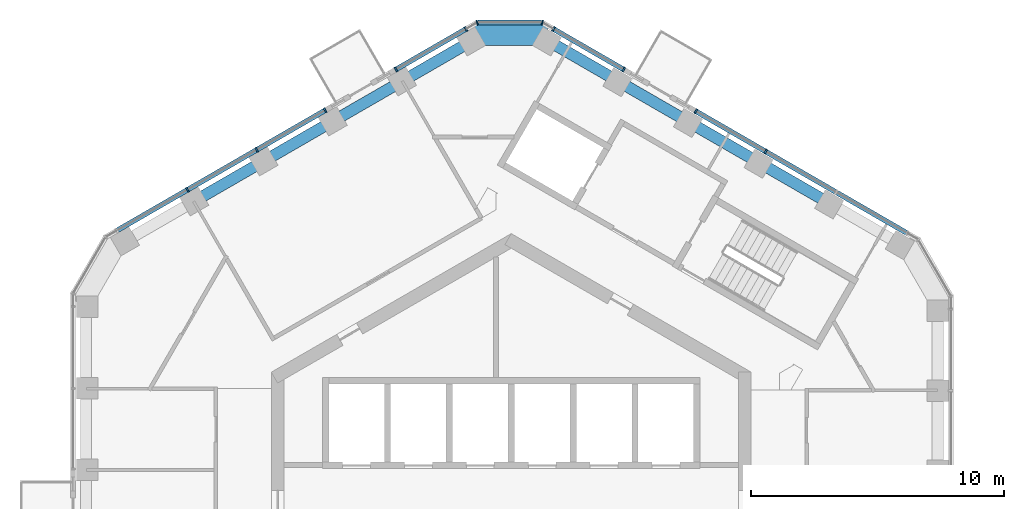
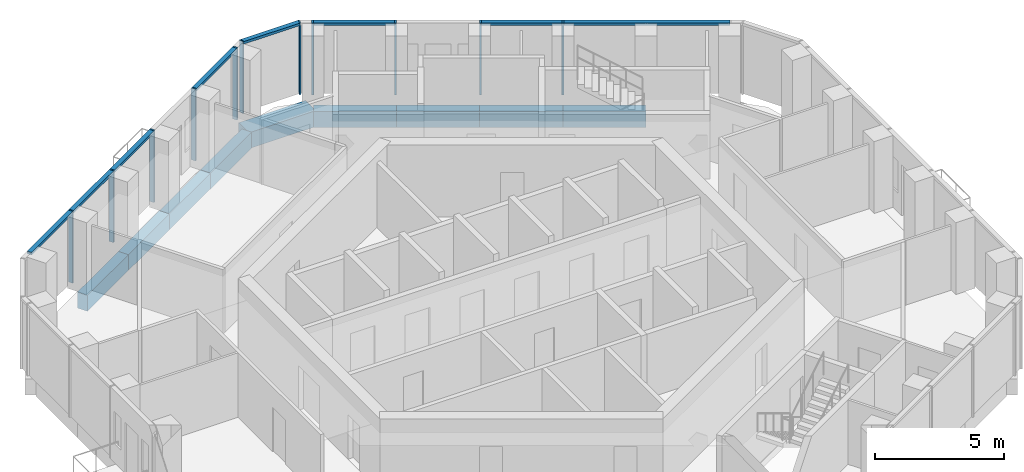
# One storey, part 6 of 19: 16 members, 9 beams, 5 elements without a shape of their own.
"""IFC4 building model written with IfcOpenShell, lengths in metres."""

from ifc_helpers import new_model, si_unit, direction, frame, origin, origin_2d, place, context, subcontext, project, spatial, rectangle, extrude, material, layer, layer_set, material_profile, profile_set, type_object, element, aggregate, save


model = new_model("IFC4")

# Units and contexts
model_context = context("Model", 3, precision=1e-05, world=origin(), true_north=direction((0.0, 1.0)))
body_context = subcontext(model_context, "Body", "Model", "MODEL_VIEW")
ifc_project = project(units=[si_unit("LENGTHUNIT", "METRE"), si_unit("AREAUNIT", "SQUARE_METRE"), si_unit("VOLUMEUNIT", "CUBIC_METRE"), si_unit("PLANEANGLEUNIT", "RADIAN"), si_unit("MASSUNIT", "GRAM", prefix="KILO")], contexts=[model_context])

# Site, building, storey
site_placement = place(None, origin())
site = spatial("IfcSite", under=ifc_project, at=site_placement, CompositionType="ELEMENT")
building_placement = place(site_placement, origin())
building = spatial("IfcBuilding", under=site, at=building_placement, Name="Ayvan Gate Tower", CompositionType="ELEMENT")
storey_placement = place(building_placement, frame((0.0, 0.0, 222.300048828125)))
storey = spatial("IfcBuildingStorey", under=building, at=storey_placement, Name="L59", CompositionType="ELEMENT", Elevation=222.300048828125)

# Beams
ifc_material_1 = material(Name="Concrete C40/50", Category="concrete")
ifc_material_profile_1 = material_profile(ifc_material_1, rectangle(XDim=0.800048828125, YDim=0.75, at=origin_2d()), Name="RC 800x750")
ifc_profile_set_1 = profile_set([ifc_material_profile_1], Name="Concrete C40/50")
beam_type_1 = type_object("IfcBeamType", Name="Corner spandrel beam RC 800x750 C40/50", PredefinedType="BEAM", material=ifc_profile_set_1)
beam_1_placement = place(storey_placement, frame((1.453369140625, 18.826904296875, -0.72509765625), z_axis=(-1.0, 0.0, 0.0), x_axis=(0.0, -1.0, 0.0)))
element("IfcBeam", 1, at=beam_1_placement, inside=storey, type_object=beam_type_1, Name="SB-L59-12", PredefinedType="BEAM", context=body_context, shape_type="SweptSolid", body=[
    extrude(rectangle(XDim=0.800048828125, YDim=0.75, at=origin_2d()), origin(), (0.0, 0.0, 1.0), 3.0),
])
ifc_material_profile_2 = material_profile(ifc_material_1, rectangle(XDim=0.449951171875, YDim=0.75, at=origin_2d()), Name="RC 450x750")
ifc_profile_set_2 = profile_set([ifc_material_profile_2], Name="Concrete C40/50")
beam_type_2 = type_object("IfcBeamType", Name="Spandrel beam RC 450x750 C40/50", PredefinedType="BEAM", material=ifc_profile_set_2)
beam_2_placement = place(storey_placement, frame((12.6005859375, 12.171142578125, -0.72509765625), z_axis=(-0.866040295995, 0.499974205047, 0.0), x_axis=(-0.499974205047, -0.866040295995, 0.0)))
element("IfcBeam", 2, at=beam_2_placement, inside=storey, type_object=beam_type_2, Name="SB-L59-8", PredefinedType="BEAM", context=body_context, shape_type="SweptSolid", body=[
    extrude(rectangle(XDim=0.449951171875, YDim=0.75, at=origin_2d()), origin(), (0.0, 0.0, 1.0), 3.218017578125),
])
beam_3_placement = place(storey_placement, frame((9.813720703125, 13.780029296875, -0.72509765625), z_axis=(-0.865988473761, 0.500063959222, 0.0), x_axis=(-0.500063959222, -0.865988473761, 0.0)))
element("IfcBeam", 3, at=beam_3_placement, inside=storey, type_object=beam_type_2, Name="SB-L59-9", PredefinedType="BEAM", context=body_context, shape_type="SweptSolid", body=[
    extrude(rectangle(XDim=0.449951171875, YDim=0.75, at=origin_2d()), origin(), (0.0, 0.0, 1.0), 3.2177734375),
])
for number, where, z_axis, x_axis, name in (
    (4, (7.027099609375, 15.38916015625, -0.72509765625), (-0.866040295995, 0.499974205047, 0.0), (-0.499974205047, -0.866040295995, 0.0), "SB-L59-10"),
    (5, (4.240234375, 16.998046875, -0.72509765625), (-0.866040295995, 0.499974205047, 0.0), (-0.499974205047, -0.866040295995, 0.0), "SB-L59-11"),
):
    element("IfcBeam", number, at=place(storey_placement, frame(where, z_axis=z_axis, x_axis=x_axis)), inside=storey, type_object=beam_type_2, Name=name, PredefinedType="BEAM", context=body_context, shape_type="SweptSolid", body=[
        extrude(rectangle(XDim=0.449951171875, YDim=0.75, at=origin_2d()), origin(), (0.0, 0.0, 1.0), 3.218017578125),
    ])
beam_4_placement = place(storey_placement, frame((-1.546630859375, 18.60693359375, -0.72509765625), z_axis=(-0.86602732995, -0.499996663769, 0.0), x_axis=(0.499996663769, -0.86602732995, 0.0)))
element("IfcBeam", 6, at=beam_4_placement, inside=storey, type_object=beam_type_2, Name="SB-L59-13", PredefinedType="BEAM", context=body_context, shape_type="SweptSolid", body=[
    extrude(rectangle(XDim=0.449951171875, YDim=0.75, at=origin_2d()), origin(), (0.0, 0.0, 1.0), 3.185546875),
])
beam_5_placement = place(storey_placement, frame((-4.305419921875, 17.01416015625, -0.72509765625), z_axis=(-0.866046487683, -0.499963479838, 0.0), x_axis=(0.499963479838, -0.866046487683, 0.0)))
element("IfcBeam", 7, at=beam_5_placement, inside=storey, type_object=beam_type_2, Name="SB-L59-14", PredefinedType="BEAM", context=body_context, shape_type="SweptSolid", body=[
    extrude(rectangle(XDim=0.449951171875, YDim=0.75, at=origin_2d()), origin(), (0.0, 0.0, 1.0), 3.185791015625),
])
for number, where, z_axis, x_axis, name in (
    (8, (-7.064453125, 15.42138671875, -0.72509765625), (-0.86602732995, -0.499996663769, 0.0), (0.499996663769, -0.86602732995, 0.0), "SB-L59-15"),
    (9, (-9.8232421875, 13.82861328125, -0.72509765625), (-0.86602732995, -0.499996663769, 0.0), (0.499996663769, -0.86602732995, 0.0), "SB-L59-16"),
):
    element("IfcBeam", number, at=place(storey_placement, frame(where, z_axis=z_axis, x_axis=x_axis)), inside=storey, type_object=beam_type_2, Name=name, PredefinedType="BEAM", context=body_context, shape_type="SweptSolid", body=[
        extrude(rectangle(XDim=0.449951171875, YDim=0.75, at=origin_2d()), origin(), (0.0, 0.0, 1.0), 3.185546875),
    ])

# Curtain wall, members
ifc_material_2 = material(Name="Bronze anodised aluminium", Category="aluminium")
ifc_layer_1 = layer(ifc_material_2, 0.199951171875)
ifc_layer_set_1 = layer_set([ifc_layer_1], Name="Bronze anodised aluminium")
curtain_wall_type_1 = type_object("IfcCurtainWallType", Name="Stick curtain wall CW-2", PredefinedType="NOTDEFINED", material=ifc_layer_set_1)
curtain_wall_1_placement = place(storey_placement, origin())
curtain_wall_1 = element("IfcCurtainWall", 10, at=curtain_wall_1_placement, inside=storey, type_object=curtain_wall_type_1, Name="Stick curtain wall CW-2 L59", PredefinedType="NOTDEFINED")
ifc_material_profile_3 = material_profile(ifc_material_2, rectangle(XDim=0.199951171875, YDim=0.070068359375, at=origin_2d()), Name="Stick curtain wall CW-2 mullion 200 x 70")
ifc_profile_set_3 = profile_set([ifc_material_profile_3], Name="Bronze anodised aluminium")
member_type_1 = type_object("IfcMemberType", Name="Stick curtain wall CW-2 mullion 200 x 70", PredefinedType="MULLION", material=ifc_profile_set_3)
member_1_placement = place(storey_placement, frame((-1.792236328125, 19.071533203125, 0.0), z_axis=(0.0, 0.0, 1.0), x_axis=(-0.5, 0.866025403784, 0.0)))
member_1 = element("IfcMember", 11, at=member_1_placement, type_object=member_type_1, Name="CW-2 mullion 1", PredefinedType="MULLION", context=body_context, shape_type="SweptSolid", body=[
    extrude(rectangle(XDim=0.199951171875, YDim=0.070068359375, at=origin_2d()), origin(), (0.0, 0.0, 1.0), 3.39990234375),
])
member_2_placement = place(storey_placement, frame((-4.562744140625, 17.471923828125, 0.0), z_axis=(0.0, 0.0, 1.0), x_axis=(-0.5, 0.866025403784, 0.0)))
member_2 = element("IfcMember", 12, at=member_2_placement, type_object=member_type_1, Name="CW-2 mullion 2", PredefinedType="MULLION", context=body_context, shape_type="SweptSolid", body=[
    extrude(rectangle(XDim=0.199951171875, YDim=0.070068359375, at=origin_2d()), origin(), (0.0, 0.0, 1.0), 3.39990234375),
])

curtain_wall_2_placement = place(storey_placement, origin())
curtain_wall_2 = element("IfcCurtainWall", 13, at=curtain_wall_2_placement, inside=storey, type_object=curtain_wall_type_1, Name="Stick curtain wall CW-2 L59", PredefinedType="NOTDEFINED")
member_3_placement = place(storey_placement, frame((-7.365966796875, 15.853515625, 0.0), z_axis=(0.0, 0.0, 1.0), x_axis=(-0.5, 0.866025403784, 0.0)))
member_3 = element("IfcMember", 14, at=member_3_placement, type_object=member_type_1, Name="CW-2 mullion 1", PredefinedType="MULLION", context=body_context, shape_type="SweptSolid", body=[
    extrude(rectangle(XDim=0.199951171875, YDim=0.070068359375, at=origin_2d()), origin(), (0.0, 0.0, 1.0), 3.39990234375),
])
member_4_placement = place(storey_placement, frame((-10.07763671875, 14.287841796875, 0.0), z_axis=(0.0, 0.0, 1.0), x_axis=(-0.5, 0.866025403784, 0.0)))
member_4 = element("IfcMember", 15, at=member_4_placement, type_object=member_type_1, Name="CW-2 mullion 2", PredefinedType="MULLION", context=body_context, shape_type="SweptSolid", body=[
    extrude(rectangle(XDim=0.199951171875, YDim=0.070068359375, at=origin_2d()), origin(), (0.0, 0.0, 1.0), 3.39990234375),
])
member_5_placement = place(storey_placement, frame((-12.8193359375, 12.704833984375, 0.0), z_axis=(0.0, 0.0, 1.0), x_axis=(-0.5, 0.866025403784, 0.0)))
member_5 = element("IfcMember", 16, at=member_5_placement, type_object=member_type_1, Name="CW-2 mullion 3", PredefinedType="MULLION", context=body_context, shape_type="SweptSolid", body=[
    extrude(rectangle(XDim=0.199951171875, YDim=0.070068359375, at=origin_2d()), origin(), (0.0, 0.0, 1.0), 3.39990234375),
])

curtain_wall_3_placement = place(storey_placement, origin())
curtain_wall_3 = element("IfcCurtainWall", 17, at=curtain_wall_3_placement, inside=storey, type_object=curtain_wall_type_1, Name="Stick curtain wall CW-2 L59", PredefinedType="NOTDEFINED")
member_6_placement = place(storey_placement, frame((10.07470703125, 14.22119140625, 0.0), z_axis=(0.0, 0.0, 1.0), x_axis=(0.5, 0.866025403784, 0.0)))
member_6 = element("IfcMember", 18, at=member_6_placement, type_object=member_type_1, Name="CW-2 mullion 3", PredefinedType="MULLION", context=body_context, shape_type="SweptSolid", body=[
    extrude(rectangle(XDim=0.199951171875, YDim=0.070068359375, at=origin_2d()), origin(), (0.0, 0.0, 1.0), 3.39990234375),
])
member_7_placement = place(storey_placement, frame((7.309326171875, 15.817626953125, 0.0), z_axis=(0.0, 0.0, 1.0), x_axis=(0.5, 0.866025403784, 0.0)))
member_7 = element("IfcMember", 19, at=member_7_placement, type_object=member_type_1, Name="CW-2 mullion 4", PredefinedType="MULLION", context=body_context, shape_type="SweptSolid", body=[
    extrude(rectangle(XDim=0.199951171875, YDim=0.070068359375, at=origin_2d()), origin(), (0.0, 0.0, 1.0), 3.39990234375),
])

curtain_wall_4_placement = place(storey_placement, origin())
curtain_wall_4 = element("IfcCurtainWall", 20, at=curtain_wall_4_placement, inside=storey, type_object=curtain_wall_type_1, Name="Stick curtain wall CW-2 L59", PredefinedType="NOTDEFINED")
member_8_placement = place(storey_placement, frame((4.453369140625, 17.466552734375, 0.0), z_axis=(0.0, 0.0, 1.0), x_axis=(0.5, 0.866025403784, 0.0)))
member_8 = element("IfcMember", 21, at=member_8_placement, type_object=member_type_1, Name="CW-2 mullion 1", PredefinedType="MULLION", context=body_context, shape_type="SweptSolid", body=[
    extrude(rectangle(XDim=0.199951171875, YDim=0.070068359375, at=origin_2d()), origin(), (0.0, 0.0, 1.0), 3.39990234375),
])
member_9_placement = place(storey_placement, frame((1.673583984375, 19.071533203125, 0.0), z_axis=(0.0, 0.0, 1.0), x_axis=(0.5, 0.866025403784, 0.0)))
member_9 = element("IfcMember", 22, at=member_9_placement, type_object=member_type_1, Name="CW-2 mullion 2", PredefinedType="MULLION", context=body_context, shape_type="SweptSolid", body=[
    extrude(rectangle(XDim=0.199951171875, YDim=0.070068359375, at=origin_2d()), origin(), (0.0, 0.0, 1.0), 3.39990234375),
])

# Member
ifc_material_profile_4 = material_profile(ifc_material_2, rectangle(XDim=0.199951171875, YDim=0.1201171875, at=origin_2d()), Name="Stick curtain wall CW-2 transom 200 x 120")
ifc_profile_set_4 = profile_set([ifc_material_profile_4], Name="Bronze anodised aluminium")
member_type_2 = type_object("IfcMemberType", Name="Stick curtain wall CW-2 transom 200 x 120", PredefinedType="USERDEFINED", material=ifc_profile_set_4)
member_10_placement = place(storey_placement, frame((-1.792236328125, 19.071533203125, 3.33984375), z_axis=(-0.866017831539, -0.500013115284, 0.0), x_axis=(0.500013115284, -0.866017831539, 0.0)))
member_10 = element("IfcMember", 23, at=member_10_placement, type_object=member_type_2, Name="CW-2 transom 1", ObjectType="TRANSOM", PredefinedType="USERDEFINED", context=body_context, shape_type="SweptSolid", body=[
    extrude(rectangle(XDim=0.199951171875, YDim=0.1201171875, at=origin_2d()), origin(), (0.0, 0.0, 1.0), 3.19921875),
])

aggregate(curtain_wall_1, [member_1, member_2, member_10])

member_11_placement = place(storey_placement, frame((-7.365966796875, 15.853515625, 3.33984375), z_axis=(-0.866021358081, -0.500007007298, 0.0), x_axis=(0.500007007298, -0.866021358081, 0.0)))
member_11 = element("IfcMember", 24, at=member_11_placement, type_object=member_type_2, Name="CW-2 transom 1", ObjectType="TRANSOM", PredefinedType="USERDEFINED", context=body_context, shape_type="SweptSolid", body=[
    extrude(rectangle(XDim=0.199951171875, YDim=0.1201171875, at=origin_2d()), origin(), (0.0, 0.0, 1.0), 9.531005859375),
])

aggregate(curtain_wall_2, [member_3, member_4, member_5, member_11])

member_12_placement = place(storey_placement, frame((15.679443359375, 10.985107421875, 3.33984375), z_axis=(-0.866024054344, 0.500002337291, 0.0), x_axis=(-0.500002337291, -0.866024054344, 0.0)))
member_12 = element("IfcMember", 25, at=member_12_placement, type_object=member_type_2, Name="CW-2 transom 1", ObjectType="TRANSOM", PredefinedType="USERDEFINED", context=body_context, shape_type="SweptSolid", body=[
    extrude(rectangle(XDim=0.199951171875, YDim=0.1201171875, at=origin_2d()), origin(), (0.0, 0.0, 1.0), 9.6650390625),
])

aggregate(curtain_wall_3, [member_6, member_7, member_12])

member_13_placement = place(storey_placement, frame((4.453369140625, 17.466552734375, 3.33984375), z_axis=(-0.866015857963, 0.500016533484, 0.0), x_axis=(-0.500016533484, -0.866015857963, 0.0)))
member_13 = element("IfcMember", 26, at=member_13_placement, type_object=member_type_2, Name="CW-2 transom 1", ObjectType="TRANSOM", PredefinedType="USERDEFINED", context=body_context, shape_type="SweptSolid", body=[
    extrude(rectangle(XDim=0.199951171875, YDim=0.1201171875, at=origin_2d()), origin(), (0.0, 0.0, 1.0), 3.2099609375),
])

aggregate(curtain_wall_4, [member_8, member_9, member_13])

# Curtain wall, members
ifc_layer_2 = layer(ifc_material_2, 0.199951171875)
ifc_layer_set_2 = layer_set([ifc_layer_2], Name="Bronze anodised aluminium")
curtain_wall_type_2 = type_object("IfcCurtainWallType", Name="Stick curtain wall CW-6", PredefinedType="NOTDEFINED", material=ifc_layer_set_2)
curtain_wall_5_placement = place(storey_placement, origin())
curtain_wall_5 = element("IfcCurtainWall", 27, at=curtain_wall_5_placement, inside=storey, type_object=curtain_wall_type_2, Name="Stick curtain wall CW-6 L59", PredefinedType="NOTDEFINED")
ifc_material_profile_5 = material_profile(ifc_material_2, rectangle(XDim=0.199951171875, YDim=0.050048828125, at=origin_2d()), Name="Stick curtain wall CW-6 mullion 200 x 50")
ifc_profile_set_5 = profile_set([ifc_material_profile_5], Name="Bronze anodised aluminium")
member_type_3 = type_object("IfcMemberType", Name="Stick curtain wall CW-6 mullion 200 x 50", PredefinedType="MULLION", material=ifc_profile_set_5)
member_14_placement = place(storey_placement, frame((1.23193359375, 19.326416015625, 0.0), z_axis=(0.0, 0.0, 1.0), x_axis=(0.258819045103, 0.965925826289, 0.0)))
member_14 = element("IfcMember", 28, at=member_14_placement, type_object=member_type_3, Name="CW-6 mullion 2", PredefinedType="MULLION", context=body_context, shape_type="SweptSolid", body=[
    extrude(rectangle(XDim=0.199951171875, YDim=0.050048828125, at=origin_2d()), origin(), (0.0, 0.0, 1.0), 3.39990234375),
])
member_15_placement = place(storey_placement, frame((-1.3505859375, 19.326416015625, 0.0), z_axis=(0.0, 0.0, 1.0), x_axis=(-0.258819045103, 0.965925826289, 0.0)))
member_15 = element("IfcMember", 29, at=member_15_placement, type_object=member_type_3, Name="CW-6 mullion 3", PredefinedType="MULLION", context=body_context, shape_type="SweptSolid", body=[
    extrude(rectangle(XDim=0.199951171875, YDim=0.050048828125, at=origin_2d()), origin(), (0.0, 0.0, 1.0), 3.39990234375),
])
ifc_material_profile_6 = material_profile(ifc_material_2, rectangle(XDim=0.199951171875, YDim=0.1201171875, at=origin_2d()), Name="Stick curtain wall CW-6 transom 200 x 120")
ifc_profile_set_6 = profile_set([ifc_material_profile_6], Name="Bronze anodised aluminium")
member_type_4 = type_object("IfcMemberType", Name="Stick curtain wall CW-6 transom 200 x 120", PredefinedType="USERDEFINED", material=ifc_profile_set_6)
member_16_placement = place(storey_placement, frame((1.20703125, 19.326416015625, 3.33984375), z_axis=(-1.0, 0.0, 0.0), x_axis=(0.0, -1.0, 0.0)))
member_16 = element("IfcMember", 30, at=member_16_placement, type_object=member_type_4, Name="CW-6 transom 2", ObjectType="TRANSOM", PredefinedType="USERDEFINED", context=body_context, shape_type="SweptSolid", body=[
    extrude(rectangle(XDim=0.199951171875, YDim=0.1201171875, at=origin_2d()), origin(), (0.0, 0.0, 1.0), 2.53271484375),
])
aggregate(curtain_wall_5, [member_14, member_15, member_16])

save(model, "model.ifc")
